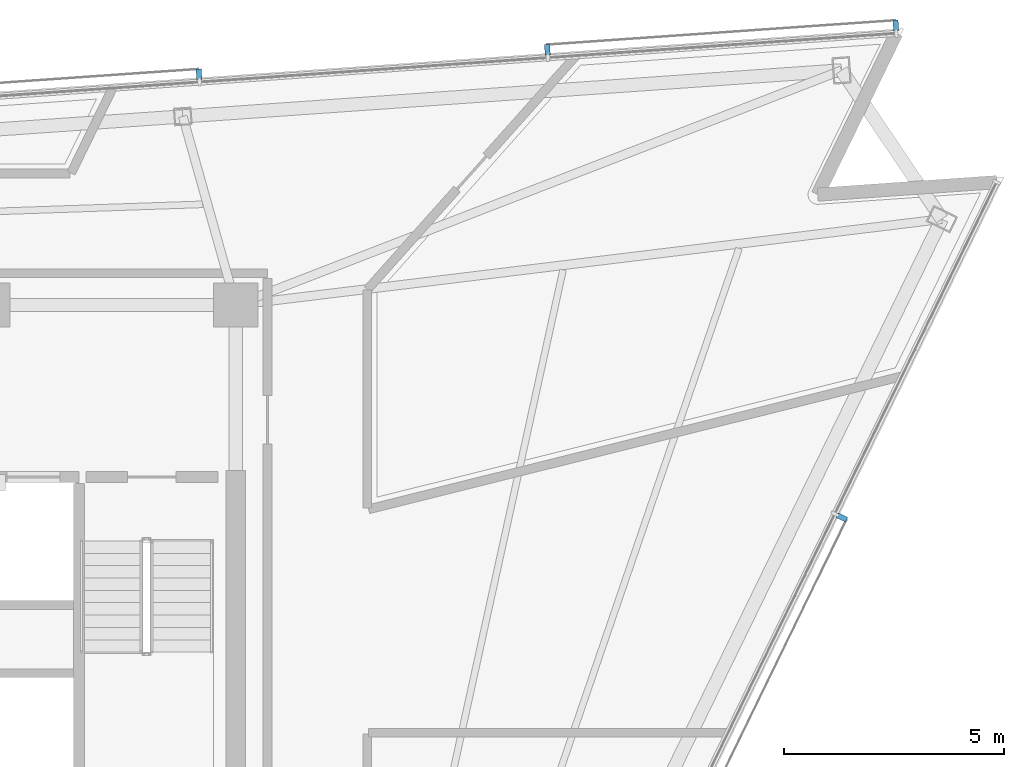
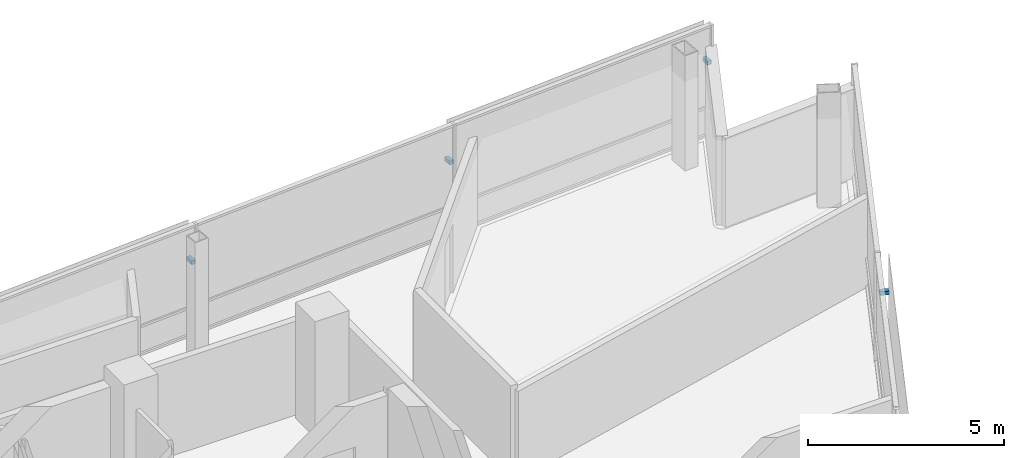
# One storey, part 13 of 16: 4 discrete accessories.
"""IFC4 building model written with IfcOpenShell, lengths in metres."""

from ifc_helpers import new_model, si_unit, direction, frame, origin, origin_2d, place, context, subcontext, project, spatial, rectangle, extrude, material, type_object, element, save


model = new_model("IFC4")

# Units and contexts
model_context = context("Model", 3, precision=1e-05, world=origin(), true_north=direction((0.0, 1.0)))
body_context = subcontext(model_context, "Body", "Model", "MODEL_VIEW")
ifc_project = project(units=[si_unit("LENGTHUNIT", "METRE"), si_unit("AREAUNIT", "SQUARE_METRE"), si_unit("VOLUMEUNIT", "CUBIC_METRE"), si_unit("PLANEANGLEUNIT", "RADIAN"), si_unit("MASSUNIT", "GRAM", prefix="KILO")], contexts=[model_context])

# Site, building, storey
site_placement = place(None, origin())
site = spatial("IfcSite", under=ifc_project, at=site_placement, CompositionType="ELEMENT")
building_placement = place(site_placement, origin())
building = spatial("IfcBuilding", under=site, at=building_placement, Name="Tharavind Bronze Gate", CompositionType="ELEMENT")
storey_placement = place(building_placement, frame((0.0, 0.0, 257.0)))
storey = spatial("IfcBuildingStorey", under=building, at=storey_placement, Name="L66", CompositionType="ELEMENT", Elevation=257.0)

# Discrete accessories
ifc_material = material(Name="Stainless Steel 316", Category="steel")
discrete_accessory_type = type_object("IfcDiscreteAccessoryType", Name="SOLAR SCREEN STANDOFF BRACKET", PredefinedType="BRACKET", material=ifc_material)
for number, where, z_axis, x_axis, name in (
    (1, (22.64697265625, 2.78466796875, 2.099853515625), (0.0, 0.0, 1.0), (0.43837271548, 0.898793281196, 0.0), "CW-L66-S2 solar screen bracket 5.2"),
    (2, (23.867919921875, 13.940673828125, 2.099853515625), (0.0, 0.0, 1.0), (-0.997563806758, -0.069759955899, 0.0), "CW-L66-S3 solar screen bracket 1.1"),
    (3, (15.966796875, 13.38818359375, 2.099853515625), (0.0, 0.0, 1.0), (-0.997563806758, -0.069759955899, 0.0), "CW-L66-S3 solar screen bracket 1.2"),
    (4, (8.06591796875, 12.835693359375, 2.099853515625), (0.0, 0.0, 1.0), (-0.997563806758, -0.069759955899, 0.0), "CW-L66-S3 solar screen bracket 3.1"),
):
    element("IfcDiscreteAccessory", number, at=place(storey_placement, frame(where, z_axis=z_axis, x_axis=x_axis)), inside=storey, type_object=discrete_accessory_type, Name=name, PredefinedType="BRACKET", context=body_context, shape_type="SweptSolid", body=[
        extrude(rectangle(XDim=0.1201171875, YDim=0.239990234375, at=origin_2d()), origin(), (0.0, 0.0, 1.0), 0.1201171875),
    ])

save(model, "model.ifc")
